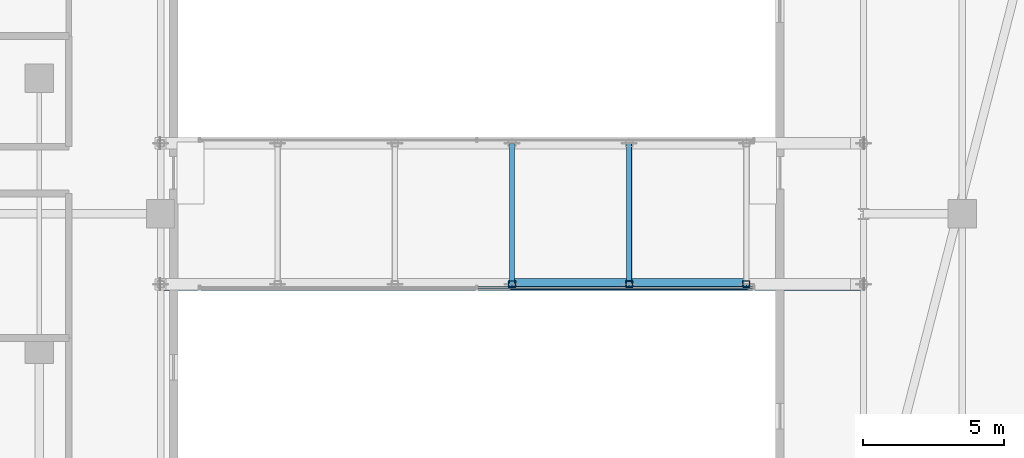
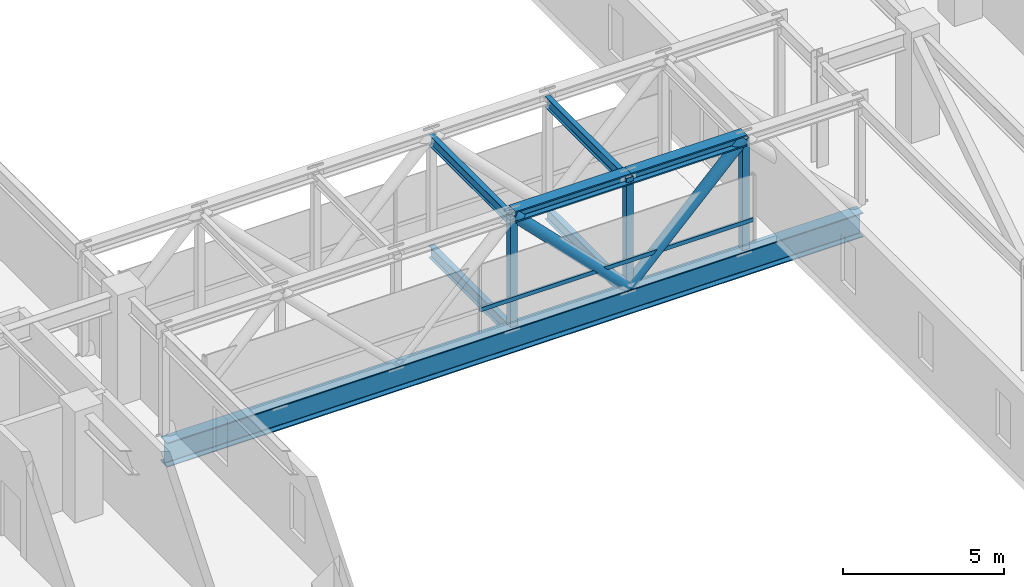
# One storey, part 9 of 42: 8 members, 5 beams, 1 element without a shape of its own.
"""IFC4 building model written with IfcOpenShell, lengths in metres."""

from ifc_helpers import new_model, si_unit, direction, frame, origin, origin_2d, place, context, subcontext, project, spatial, hollow_rectangle, hollow_circle, i_section, extrude, material, material_profile, profile_set, type_object, element, aggregate, save


model = new_model("IFC4")

# Units and contexts
model_context = context("Model", 3, precision=1e-05, world=origin(), true_north=direction((0.0, 1.0)))
body_context = subcontext(model_context, "Body", "Model", "MODEL_VIEW")
ifc_project = project(units=[si_unit("LENGTHUNIT", "METRE"), si_unit("AREAUNIT", "SQUARE_METRE"), si_unit("VOLUMEUNIT", "CUBIC_METRE"), si_unit("PLANEANGLEUNIT", "RADIAN"), si_unit("MASSUNIT", "GRAM", prefix="KILO")], contexts=[model_context])

# Site, building, storey
site_placement = place(None, origin())
site = spatial("IfcSite", under=ifc_project, at=site_placement, CompositionType="ELEMENT")
building_placement = place(site_placement, origin())
building = spatial("IfcBuilding", under=site, at=building_placement, Name="Thornwick Lancets Civic Towers", CompositionType="ELEMENT")
storey_placement = place(building_placement, frame((0.0, 0.0, 221.699951171875)))
storey = spatial("IfcBuildingStorey", under=building, at=storey_placement, Name="L59", CompositionType="ELEMENT", Elevation=221.699951171875)

# Beams
ifc_material_1 = material(Name="Steel S355JR", Category="steel")
ifc_material_profile_1 = material_profile(ifc_material_1, i_section(OverallWidth=0.179443359375, OverallDepth=0.412841796875, WebThickness=0.009521484375, FlangeThickness=0.01611328125, FilletRadius=0.01025390625, at=origin_2d()), Name="UKB 406x178x74")
ifc_profile_set_1 = profile_set([ifc_material_profile_1], Name="Steel S355JR")
beam_type_1 = type_object("IfcBeamType", Name="BM_JOIST_406_74", PredefinedType="JOIST", material=ifc_profile_set_1)
for number, where, z_axis, x_axis, name in (
    (1, (55.25, 24.5, 3.753662109375), (0.0, 1.0, 0.0), (-1.0, 0.0, 0.0), "BM-L59-SB-RBM-3"),
    (2, (59.39990234375, 24.5, 3.753662109375), (0.0, 1.0, 0.0), (-1.0, 0.0, 0.0), "BM-L59-SB-RBM-4"),
):
    element("IfcBeam", number, at=place(storey_placement, frame(where, z_axis=z_axis, x_axis=x_axis)), inside=storey, type_object=beam_type_1, Name=name, PredefinedType="JOIST", context=body_context, shape_type="SweptSolid", body=[
        extrude(i_section(OverallWidth=0.179443359375, OverallDepth=0.412841796875, WebThickness=0.009521484375, FlangeThickness=0.01611328125, FilletRadius=0.01025390625, at=origin_2d()), origin(), (0.0, 0.0, 1.0), 5.0),
    ])
ifc_material_profile_2 = material_profile(ifc_material_1, i_section(OverallWidth=0.19189453125, OverallDepth=0.46337890625, WebThickness=0.010498046875, FlangeThickness=0.017578125, FilletRadius=0.01025390625, at=origin_2d()), Name="UKB 457x191x89")
ifc_profile_set_2 = profile_set([ifc_material_profile_2], Name="Steel S355JR")
beam_type_2 = type_object("IfcBeamType", Name="BM_JOIST_457_89", PredefinedType="JOIST", material=ifc_profile_set_2)
for number, where, z_axis, x_axis, name in (
    (3, (55.25, 24.5, -0.45166015625), (0.0, 1.0, 0.0), (-1.0, 0.0, 0.0), "BM-L59-SB-XBM-3"),
    (4, (59.39990234375, 24.5, -0.45166015625), (0.0, 1.0, 0.0), (-1.0, 0.0, 0.0), "BM-L59-SB-XBM-4"),
):
    element("IfcBeam", number, at=place(storey_placement, frame(where, z_axis=z_axis, x_axis=x_axis)), inside=storey, type_object=beam_type_2, Name=name, PredefinedType="JOIST", context=body_context, shape_type="SweptSolid", body=[
        extrude(i_section(OverallWidth=0.19189453125, OverallDepth=0.46337890625, WebThickness=0.010498046875, FlangeThickness=0.017578125, FilletRadius=0.01025390625, at=origin_2d()), origin(), (0.0, 0.0, 1.0), 5.0),
    ])
ifc_material_2 = material(Name="Steel S460M", Category="steel")
ifc_material_profile_3 = material_profile(ifc_material_2, i_section(OverallWidth=0.42041015625, OverallDepth=0.9208984375, WebThickness=0.021484375, FlangeThickness=0.03662109375, FilletRadius=0.024169921875, at=origin_2d()), Name="UKB 914x419x388")
ifc_profile_set_3 = profile_set([ifc_material_profile_3], Name="Steel S460M")
beam_type_3 = type_object("IfcBeamType", Name="BM_TR_914_388", PredefinedType="BEAM", material=ifc_profile_set_3)
beam_placement = place(storey_placement, frame((42.800048828125, 24.5, -0.680419921875), z_axis=(1.0, 0.0, 0.0), x_axis=(0.0, 1.0, 0.0)))
element("IfcBeam", 5, at=beam_placement, inside=storey, type_object=beam_type_3, Name="BM-L59-SB-MAIN-1", PredefinedType="BEAM", context=body_context, shape_type="SweptSolid", body=[
    extrude(i_section(OverallWidth=0.42041015625, OverallDepth=0.9208984375, WebThickness=0.021484375, FlangeThickness=0.03662109375, FilletRadius=0.024169921875, at=origin_2d()), origin(), (0.0, 0.0, 1.0), 24.89990234375),
])

# Curtain wall, member
ifc_material_3 = material(Name="Skybridge acoustic laminated-glass curtain wall", Category="glass")
curtain_wall_type = type_object("IfcCurtainWallType", Name="CW_SYS_06", PredefinedType="NOTDEFINED", material=ifc_material_3)
curtain_wall_placement = place(storey_placement, origin())
curtain_wall = element("IfcCurtainWall", 6, at=curtain_wall_placement, inside=storey, type_object=curtain_wall_type, Name="L59 Curtain Wall CW-L59-SKYBRIDGE-S", PredefinedType="NOTDEFINED")
ifc_material_4 = material(Name="Thermally broken bronze aluminium S355", Category="steel")
ifc_material_profile_4 = material_profile(ifc_material_4, hollow_rectangle(XDim=0.074951171875, YDim=0.14990234375, WallThickness=0.0048828125, at=origin_2d()), Name="RHS 150x75x5")
ifc_profile_set_4 = profile_set([ifc_material_profile_4], Name="Thermally broken bronze aluminium S355")
member_type_1 = type_object("IfcMemberType", Name="CW_TRN_150", PredefinedType="USERDEFINED", material=ifc_profile_set_4)
member_1_placement = place(storey_placement, frame((54.02001953125, 24.3798828125, 0.85009765625), z_axis=(1.0, 0.0, 0.0), x_axis=(0.0, 1.0, 0.0)))
member_1 = element("IfcMember", 7, at=member_1_placement, type_object=member_type_1, Name="CW-L59-SKYBRIDGE-S Transom 1", ObjectType="TRANSOM", PredefinedType="USERDEFINED", context=body_context, shape_type="SweptSolid", body=[
    extrude(hollow_rectangle(XDim=0.074951171875, YDim=0.14990234375, WallThickness=0.0048828125, at=origin_2d()), origin(), (0.0, 0.0, 1.0), 9.780029296875),
])
aggregate(curtain_wall, [member_1])

# Members
ifc_material_profile_5 = material_profile(ifc_material_2, i_section(OverallWidth=0.406982421875, OverallDepth=0.4189453125, WebThickness=0.030517578125, FlangeThickness=0.04931640625, FilletRadius=0.01513671875, at=origin_2d()), Name="UKC 356x406x393")
ifc_profile_set_5 = profile_set([ifc_material_profile_5], Name="Steel S460M")
member_type_2 = type_object("IfcMemberType", Name="MEM_BRG_CHORD_393", PredefinedType="CHORD", material=ifc_profile_set_5)
member_2_placement = place(storey_placement, frame((55.25, 24.5, 3.9599609375), z_axis=(1.0, 0.0, 0.0), x_axis=(0.0, 1.0, 0.0)))
element("IfcMember", 8, at=member_2_placement, inside=storey, type_object=member_type_2, Name="L59 Skybridge Top Chord 1-3", PredefinedType="CHORD", context=body_context, shape_type="SweptSolid", body=[
    extrude(i_section(OverallWidth=0.406982421875, OverallDepth=0.4189453125, WebThickness=0.030517578125, FlangeThickness=0.04931640625, FilletRadius=0.01513671875, at=origin_2d()), origin(), (0.0, 0.0, 1.0), 4.14990234375),
])
member_3_placement = place(storey_placement, frame((59.39990234375, 24.5, 3.9599609375), z_axis=(1.0, 0.0, 0.0), x_axis=(0.0, 1.0, 0.0)))
element("IfcMember", 9, at=member_3_placement, inside=storey, type_object=member_type_2, Name="L59 Skybridge Top Chord 1-4", PredefinedType="CHORD", context=body_context, shape_type="SweptSolid", body=[
    extrude(i_section(OverallWidth=0.406982421875, OverallDepth=0.4189453125, WebThickness=0.030517578125, FlangeThickness=0.04931640625, FilletRadius=0.01513671875, at=origin_2d()), origin(), (0.0, 0.0, 1.0), 4.150146484375),
])
ifc_material_profile_6 = material_profile(ifc_material_2, hollow_circle(Radius=0.203125, WallThickness=0.02001953125, at=origin_2d()), Name="CHS 406.4x20")
ifc_profile_set_6 = profile_set([ifc_material_profile_6], Name="Steel S460M")
member_type_3 = type_object("IfcMemberType", Name="MEM_BRG_WEB_CHS406", PredefinedType="BRACE", material=ifc_profile_set_6)
member_4_placement = place(storey_placement, frame((55.25, 24.5, 3.9599609375), z_axis=(0.704553062157, 0.0, -0.709651310578), x_axis=(0.0, 1.0, 0.0)))
element("IfcMember", 10, at=member_4_placement, inside=storey, type_object=member_type_3, Name="L59 Skybridge Truss Diagonal 1-3", PredefinedType="BRACE", context=body_context, shape_type="SweptSolid", body=[
    extrude(hollow_circle(Radius=0.203125, WallThickness=0.02001953125, at=origin_2d()), origin(), (0.0, 0.0, 1.0), 5.89013671875),
])
member_5_placement = place(storey_placement, frame((59.39990234375, 24.5, -0.219970703125), z_axis=(0.704573935254, 0.0, 0.709630586827), x_axis=(0.0, 1.0, 0.0)))
element("IfcMember", 11, at=member_5_placement, inside=storey, type_object=member_type_3, Name="L59 Skybridge Truss Diagonal 1-4", PredefinedType="BRACE", context=body_context, shape_type="SweptSolid", body=[
    extrude(hollow_circle(Radius=0.203125, WallThickness=0.02001953125, at=origin_2d()), origin(), (0.0, 0.0, 1.0), 5.890380859375),
])
ifc_material_profile_7 = material_profile(ifc_material_2, hollow_rectangle(XDim=0.25, YDim=0.25, WallThickness=0.01611328125, at=origin_2d()), Name="SHS 250x250x16")
ifc_profile_set_7 = profile_set([ifc_material_profile_7], Name="Steel S460M")
member_type_4 = type_object("IfcMemberType", Name="MEM_BRG_WEB_SHS250", PredefinedType="BRACE", material=ifc_profile_set_7)
for number, where, z_axis, x_axis, name in (
    (12, (55.25, 24.5, -0.219970703125), (0.0, 0.0, 1.0), (1.0, 0.0, 0.0), "L59 Skybridge Truss Post 1-3"),
    (13, (59.39990234375, 24.5, -0.219970703125), (0.0, 0.0, 1.0), (1.0, 0.0, 0.0), "L59 Skybridge Truss Post 1-4"),
    (14, (63.550048828125, 24.5, -0.219970703125), (0.0, 0.0, 1.0), (1.0, 0.0, 0.0), "L59 Skybridge Truss Post 1-5"),
):
    element("IfcMember", number, at=place(storey_placement, frame(where, z_axis=z_axis, x_axis=x_axis)), inside=storey, type_object=member_type_4, Name=name, PredefinedType="BRACE", context=body_context, shape_type="SweptSolid", body=[
        extrude(hollow_rectangle(XDim=0.25, YDim=0.25, WallThickness=0.01611328125, at=origin_2d()), origin(), (0.0, 0.0, 1.0), 4.179931640625),
    ])

save(model, "model.ifc")
